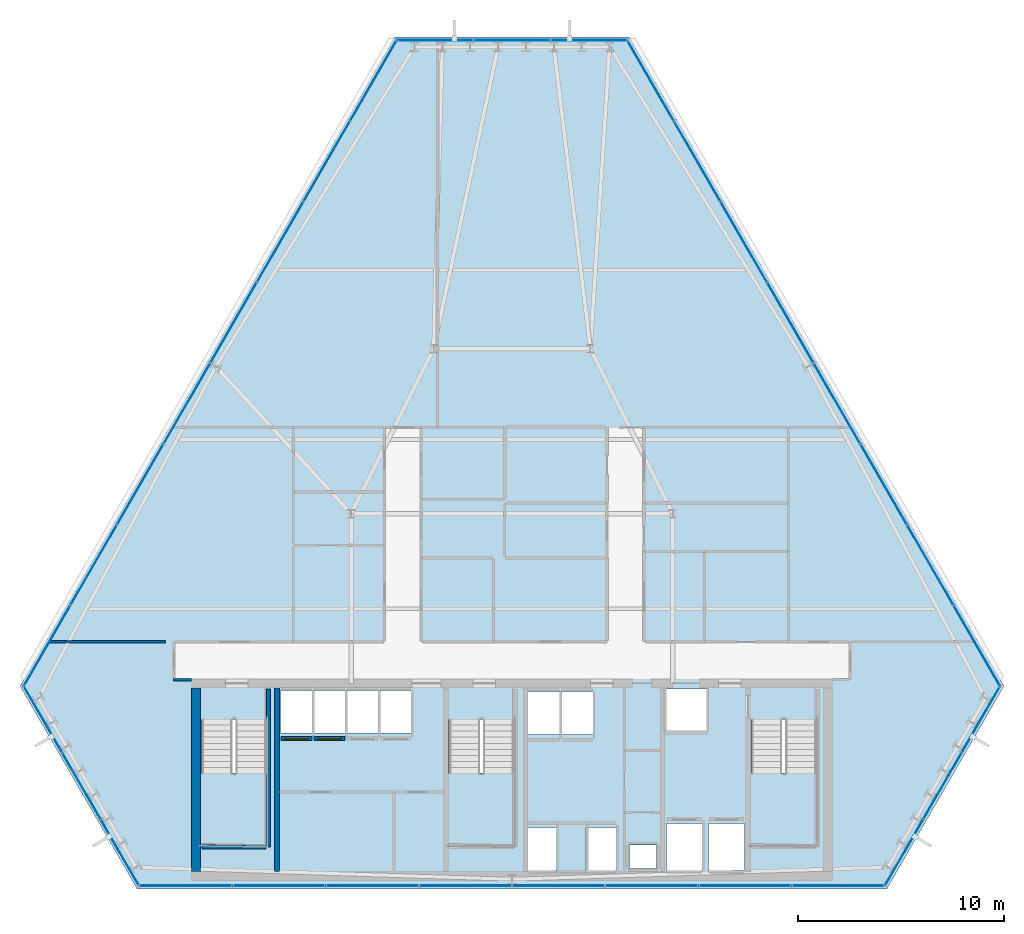
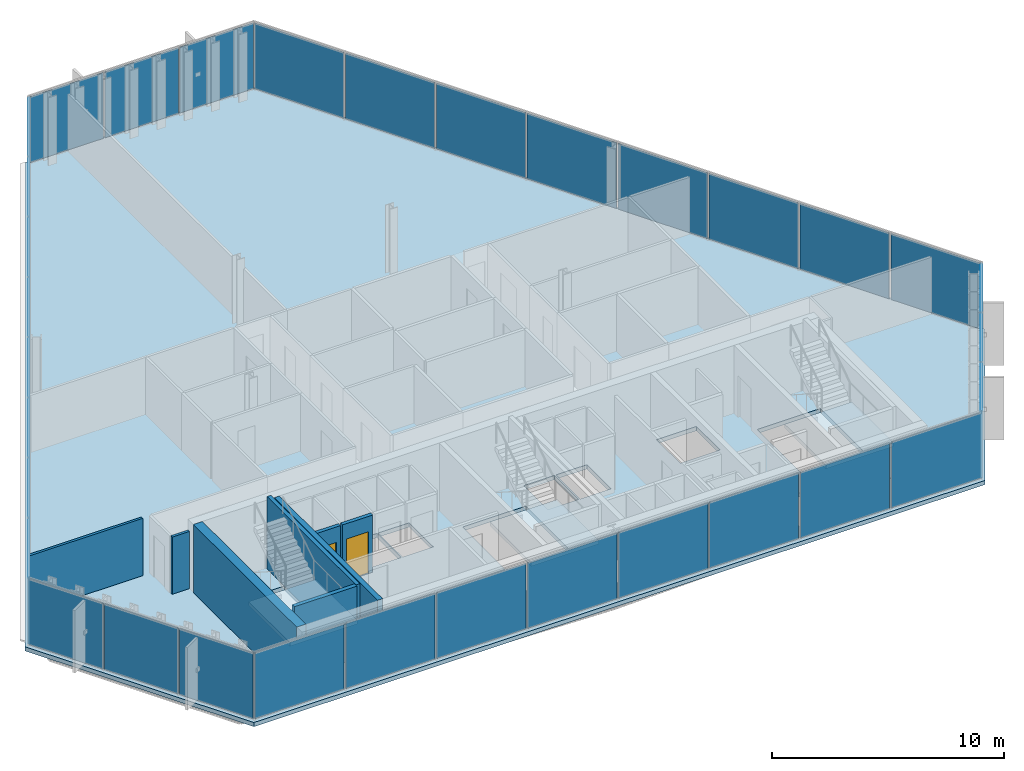
# One storey, part 25 of 33: 33 plates, 8 walls, 4 slabs, 2 doors, 2 openings, 9 elements without a shape of their own.
"""IFC4 building model written with IfcOpenShell, lengths in metres."""

from ifc_helpers import new_model, si_unit, direction, frame, frame_2d, origin, origin_2d, place, context, subcontext, project, spatial, polyline, rectangle, outline, extrude, material, layer, layer_set, type_object, element, fill, aggregate, save


model = new_model("IFC4")

# Units and contexts
model_context = context("Model", 3, precision=1e-05, world=origin(), true_north=direction((0.0, 1.0)))
body_context = subcontext(model_context, "Body", "Model", "MODEL_VIEW")
ifc_project = project(units=[si_unit("LENGTHUNIT", "METRE"), si_unit("AREAUNIT", "SQUARE_METRE"), si_unit("VOLUMEUNIT", "CUBIC_METRE"), si_unit("PLANEANGLEUNIT", "RADIAN"), si_unit("MASSUNIT", "GRAM", prefix="KILO")], contexts=[model_context])

# Site, building, storey
site_placement = place(None, origin())
site = spatial("IfcSite", under=ifc_project, at=site_placement, CompositionType="ELEMENT")
building_placement = place(site_placement, origin())
building = spatial("IfcBuilding", under=site, at=building_placement, Name="Ndaravel Arena Tower", CompositionType="ELEMENT")
storey_placement = place(building_placement, frame((0.0, 0.0, 149.800048828125)))
storey = spatial("IfcBuildingStorey", under=building, at=storey_placement, Name="L35", CompositionType="ELEMENT", Elevation=149.800048828125)

# Curtain wall, plate
ifc_material_1 = material(Name="Aluminium", Category="aluminium")
ifc_layer_1 = layer(ifc_material_1, 0.179931640625)
ifc_layer_set_1 = layer_set([ifc_layer_1], Name="Aluminium")
curtain_wall_type_1 = type_object("IfcCurtainWallType", Name="CW-SYS-01", PredefinedType="NOTDEFINED", material=ifc_layer_set_1)
curtain_wall_1_placement = place(storey_placement, origin())
curtain_wall_1 = element("IfcCurtainWall", 1, at=curtain_wall_1_placement, inside=storey, type_object=curtain_wall_type_1, Name="L35 Faceted Crystal Curtain Wall CW-L35-E02", PredefinedType="NOTDEFINED")
ifc_material_2 = material(Name="Glazing", Category="glass")
ifc_layer_2 = layer(ifc_material_2, 0.035888671875)
ifc_layer_set_2 = layer_set([ifc_layer_2], Name="Glazing")
plate_type_1 = type_object("IfcPlateType", Name="PLT-CW-OPVENT", PredefinedType="CURTAIN_PANEL", material=ifc_layer_set_2)
plate_1_placement = place(storey_placement, frame((62.87158203125, 10.002685546875, 0.06005859375), z_axis=(0.0, 0.0, 1.0), x_axis=(0.5, 0.866025403784, 0.0)))
plate_1 = element("IfcPlate", 2, at=plate_1_placement, type_object=plate_type_1, Name="CW-L35-E02 Operable Vent Sash Panel 02", PredefinedType="CURTAIN_PANEL", context=body_context, shape_type="SweptSolid", body=[
    extrude(rectangle(XDim=3.64794921875, YDim=0.035888671875, at=origin_2d()), origin(), (0.0, 0.0, 1.0), 3.4599609375),
])

curtain_wall_2_placement = place(storey_placement, origin())
curtain_wall_2 = element("IfcCurtainWall", 3, at=curtain_wall_2_placement, inside=storey, type_object=curtain_wall_type_1, Name="L35 Faceted Crystal Curtain Wall CW-L35-E04", PredefinedType="NOTDEFINED")
plate_2_placement = place(storey_placement, frame((42.0, 46.15380859375, 0.06005859375), z_axis=(0.0, 0.0, 1.0), x_axis=(-1.0, 0.0, 0.0)))
plate_2 = element("IfcPlate", 4, at=plate_2_placement, type_object=plate_type_1, Name="CW-L35-E04 Operable Vent Sash Panel 02", PredefinedType="CURTAIN_PANEL", context=body_context, shape_type="SweptSolid", body=[
    extrude(rectangle(XDim=3.64794921875, YDim=0.035888671875, at=origin_2d()), origin(), (0.0, 0.0, 1.0), 3.4599609375),
])

ifc_material_3 = material(Name="Aluminium", Category="aluminium")
ifc_layer_3 = layer(ifc_material_3, 0.179931640625)
ifc_layer_set_3 = layer_set([ifc_layer_3], Name="Aluminium")
curtain_wall_type_2 = type_object("IfcCurtainWallType", Name="CW-SYS-02", PredefinedType="NOTDEFINED", material=ifc_layer_set_3)
curtain_wall_3_placement = place(storey_placement, origin())
curtain_wall_3 = element("IfcCurtainWall", 5, at=curtain_wall_3_placement, inside=storey, type_object=curtain_wall_type_2, Name="L35 Faceted Crystal Curtain Wall CW-L35-E06", PredefinedType="NOTDEFINED")
plate_3_placement = place(storey_placement, frame((21.12841796875, 10.002685546875, 0.06005859375), z_axis=(0.0, 0.0, 1.0), x_axis=(0.5, -0.866025403784, 0.0)))
plate_3 = element("IfcPlate", 6, at=plate_3_placement, type_object=plate_type_1, Name="CW-L35-E06 Operable Vent Sash Panel 02", PredefinedType="CURTAIN_PANEL", context=body_context, shape_type="SweptSolid", body=[
    extrude(rectangle(XDim=3.64794921875, YDim=0.035888671875, at=origin_2d()), origin(), (0.0, 0.0, 1.0), 3.4599609375),
])

# Plate
ifc_material_4 = material(Name="Glazing", Category="glass")
ifc_layer_4 = layer(ifc_material_4, 0.031982421875)
ifc_layer_set_4 = layer_set([ifc_layer_4], Name="Glazing")
plate_type_2 = type_object("IfcPlateType", Name="PLT-GLZ-FRIT35", PredefinedType="CURTAIN_PANEL", material=ifc_layer_set_4)
plate_4_placement = place(storey_placement, frame((61.0078125, 6.774169921875, 0.06005859375), z_axis=(0.0, 0.0, 1.0), x_axis=(0.5, 0.866025403784, 0.0)))
plate_4 = element("IfcPlate", 7, at=plate_4_placement, type_object=plate_type_2, Name="CW-L35-E02 Vision Glass Panel 01", PredefinedType="CURTAIN_PANEL", context=body_context, shape_type="SweptSolid", body=[
    extrude(rectangle(XDim=3.64794921875, YDim=0.035888671875, at=origin_2d()), origin(), (0.0, 0.0, 1.0), 3.4599609375),
])

plate_5_placement = place(storey_placement, frame((64.735595703125, 13.231201171875, 0.06005859375), z_axis=(0.0, 0.0, 1.0), x_axis=(0.5, 0.866025403784, 0.0)))
plate_5 = element("IfcPlate", 8, at=plate_5_placement, type_object=plate_type_2, Name="CW-L35-E02 Vision Glass Panel 03", PredefinedType="CURTAIN_PANEL", context=body_context, shape_type="SweptSolid", body=[
    extrude(rectangle(XDim=3.64794921875, YDim=0.035888671875, at=origin_2d()), origin(), (0.0, 0.0, 1.0), 3.4599609375),
])

aggregate(curtain_wall_1, [plate_4, plate_1, plate_5])

plate_6_placement = place(storey_placement, frame((45.727783203125, 46.15380859375, 0.06005859375), z_axis=(0.0, 0.0, 1.0), x_axis=(-1.0, 0.0, 0.0)))
plate_6 = element("IfcPlate", 9, at=plate_6_placement, type_object=plate_type_2, Name="CW-L35-E04 Vision Glass Panel 01", PredefinedType="CURTAIN_PANEL", context=body_context, shape_type="SweptSolid", body=[
    extrude(rectangle(XDim=3.64794921875, YDim=0.035888671875, at=origin_2d()), origin(), (0.0, 0.0, 1.0), 3.4599609375),
])

plate_7_placement = place(storey_placement, frame((38.272216796875, 46.15380859375, 0.06005859375), z_axis=(0.0, 0.0, 1.0), x_axis=(-1.0, 0.0, 0.0)))
plate_7 = element("IfcPlate", 10, at=plate_7_placement, type_object=plate_type_2, Name="CW-L35-E04 Vision Glass Panel 03", PredefinedType="CURTAIN_PANEL", context=body_context, shape_type="SweptSolid", body=[
    extrude(rectangle(XDim=3.64794921875, YDim=0.035888671875, at=origin_2d()), origin(), (0.0, 0.0, 1.0), 3.4599609375),
])

aggregate(curtain_wall_2, [plate_6, plate_2, plate_7])

ifc_material_5 = material(Name="Glazing", Category="glass")
ifc_layer_5 = layer(ifc_material_5, 0.035888671875)
ifc_layer_set_5 = layer_set([ifc_layer_5], Name="Glazing")
plate_type_3 = type_object("IfcPlateType", Name="PLT-GLZ-FRIT55", PredefinedType="CURTAIN_PANEL", material=ifc_layer_set_5)
plate_8_placement = place(storey_placement, frame((19.264404296875, 13.231201171875, 0.06005859375), z_axis=(0.0, 0.0, 1.0), x_axis=(0.5, -0.866025403784, 0.0)))
plate_8 = element("IfcPlate", 11, at=plate_8_placement, type_object=plate_type_3, Name="CW-L35-E06 Vision Glass Panel 01", PredefinedType="CURTAIN_PANEL", context=body_context, shape_type="SweptSolid", body=[
    extrude(rectangle(XDim=3.64794921875, YDim=0.035888671875, at=origin_2d()), origin(), (0.0, 0.0, 1.0), 3.4599609375),
])

plate_9_placement = place(storey_placement, frame((22.9921875, 6.774169921875, 0.06005859375), z_axis=(0.0, 0.0, 1.0), x_axis=(0.5, -0.866025403784, 0.0)))
plate_9 = element("IfcPlate", 12, at=plate_9_placement, type_object=plate_type_3, Name="CW-L35-E06 Vision Glass Panel 03", PredefinedType="CURTAIN_PANEL", context=body_context, shape_type="SweptSolid", body=[
    extrude(rectangle(XDim=3.64794921875, YDim=0.035888671875, at=origin_2d()), origin(), (0.0, 0.0, 1.0), 3.4599609375),
])

aggregate(curtain_wall_3, [plate_8, plate_3, plate_9])

# Curtain wall, plates
ifc_material_6 = material(Name="Aluminium", Category="aluminium")
ifc_layer_6 = layer(ifc_material_6, 0.179931640625)
ifc_layer_set_6 = layer_set([ifc_layer_6], Name="Aluminium")
curtain_wall_type_3 = type_object("IfcCurtainWallType", Name="CW-SYS-03", PredefinedType="NOTDEFINED", material=ifc_layer_set_6)
curtain_wall_4_placement = place(storey_placement, origin())
curtain_wall_4 = element("IfcCurtainWall", 13, at=curtain_wall_4_placement, inside=storey, type_object=curtain_wall_type_3, Name="L35 Faceted Crystal Curtain Wall CW-L35-E01", PredefinedType="NOTDEFINED")
ifc_material_7 = material(Name="Glazing", Category="glass")
ifc_layer_7 = layer(ifc_material_7, 0.0400390625)
ifc_layer_set_7 = layer_set([ifc_layer_7], Name="Glazing")
plate_type_4 = type_object("IfcPlateType", Name="PLT-GLZ-LOWIRON", PredefinedType="CURTAIN_PANEL", material=ifc_layer_set_7)
plate_10_placement = place(storey_placement, frame((26.18359375, 5.159912109375, 0.06005859375), z_axis=(0.0, 0.0, 1.0), x_axis=(1.0, 0.0, 0.0)))
plate_10 = element("IfcPlate", 14, at=plate_10_placement, type_object=plate_type_4, Name="CW-L35-E01 Vision Glass Panel 01", PredefinedType="CURTAIN_PANEL", context=body_context, shape_type="SweptSolid", body=[
    extrude(rectangle(XDim=4.43896484375, YDim=0.035888671875, at=origin_2d()), origin(), (0.0, 0.0, 1.0), 3.4599609375),
])
plate_11_placement = place(storey_placement, frame((30.70263671875, 5.159912109375, 0.06005859375), z_axis=(0.0, 0.0, 1.0), x_axis=(1.0, 0.0, 0.0)))
plate_11 = element("IfcPlate", 15, at=plate_11_placement, type_object=plate_type_4, Name="CW-L35-E01 Vision Glass Panel 02", PredefinedType="CURTAIN_PANEL", context=body_context, shape_type="SweptSolid", body=[
    extrude(rectangle(XDim=4.43896484375, YDim=0.035888671875, at=origin_2d()), origin(), (0.0, 0.0, 1.0), 3.4599609375),
])
plate_12_placement = place(storey_placement, frame((35.2216796875, 5.159912109375, 0.06005859375), z_axis=(0.0, 0.0, 1.0), x_axis=(1.0, 0.0, 0.0)))
plate_12 = element("IfcPlate", 16, at=plate_12_placement, type_object=plate_type_4, Name="CW-L35-E01 Vision Glass Panel 03", PredefinedType="CURTAIN_PANEL", context=body_context, shape_type="SweptSolid", body=[
    extrude(rectangle(XDim=4.43896484375, YDim=0.035888671875, at=origin_2d()), origin(), (0.0, 0.0, 1.0), 3.4599609375),
])
plate_13_placement = place(storey_placement, frame((39.740478515625, 5.159912109375, 0.06005859375), z_axis=(0.0, 0.0, 1.0), x_axis=(1.0, 0.0, 0.0)))
plate_13 = element("IfcPlate", 17, at=plate_13_placement, type_object=plate_type_4, Name="CW-L35-E01 Vision Glass Panel 04", PredefinedType="CURTAIN_PANEL", context=body_context, shape_type="SweptSolid", body=[
    extrude(rectangle(XDim=4.43896484375, YDim=0.035888671875, at=origin_2d()), origin(), (0.0, 0.0, 1.0), 3.4599609375),
])
plate_14_placement = place(storey_placement, frame((44.259521484375, 5.159912109375, 0.06005859375), z_axis=(0.0, 0.0, 1.0), x_axis=(1.0, 0.0, 0.0)))
plate_14 = element("IfcPlate", 18, at=plate_14_placement, type_object=plate_type_4, Name="CW-L35-E01 Vision Glass Panel 05", PredefinedType="CURTAIN_PANEL", context=body_context, shape_type="SweptSolid", body=[
    extrude(rectangle(XDim=4.43896484375, YDim=0.035888671875, at=origin_2d()), origin(), (0.0, 0.0, 1.0), 3.4599609375),
])
plate_15_placement = place(storey_placement, frame((48.7783203125, 5.159912109375, 0.06005859375), z_axis=(0.0, 0.0, 1.0), x_axis=(1.0, 0.0, 0.0)))
plate_15 = element("IfcPlate", 19, at=plate_15_placement, type_object=plate_type_4, Name="CW-L35-E01 Vision Glass Panel 06", PredefinedType="CURTAIN_PANEL", context=body_context, shape_type="SweptSolid", body=[
    extrude(rectangle(XDim=4.43896484375, YDim=0.035888671875, at=origin_2d()), origin(), (0.0, 0.0, 1.0), 3.4599609375),
])
plate_16_placement = place(storey_placement, frame((53.29736328125, 5.159912109375, 0.06005859375), z_axis=(0.0, 0.0, 1.0), x_axis=(1.0, 0.0, 0.0)))
plate_16 = element("IfcPlate", 20, at=plate_16_placement, type_object=plate_type_4, Name="CW-L35-E01 Vision Glass Panel 07", PredefinedType="CURTAIN_PANEL", context=body_context, shape_type="SweptSolid", body=[
    extrude(rectangle(XDim=4.43896484375, YDim=0.035888671875, at=origin_2d()), origin(), (0.0, 0.0, 1.0), 3.4599609375),
])
plate_17_placement = place(storey_placement, frame((57.81640625, 5.159912109375, 0.06005859375), z_axis=(0.0, 0.0, 1.0), x_axis=(1.0, 0.0, 0.0)))
plate_17 = element("IfcPlate", 21, at=plate_17_placement, type_object=plate_type_4, Name="CW-L35-E01 Vision Glass Panel 08", PredefinedType="CURTAIN_PANEL", context=body_context, shape_type="SweptSolid", body=[
    extrude(rectangle(XDim=4.43896484375, YDim=0.035888671875, at=origin_2d()), origin(), (0.0, 0.0, 1.0), 3.4599609375),
])
aggregate(curtain_wall_4, [plate_10, plate_11, plate_12, plate_13, plate_14, plate_15, plate_16, plate_17])

curtain_wall_5_placement = place(storey_placement, origin())
curtain_wall_5 = element("IfcCurtainWall", 22, at=curtain_wall_5_placement, inside=storey, type_object=curtain_wall_type_3, Name="L35 Faceted Crystal Curtain Wall CW-L35-E03", PredefinedType="NOTDEFINED")
plate_18_placement = place(storey_placement, frame((64.5380859375, 16.80224609375, 0.06005859375), z_axis=(0.0, 0.0, 1.0), x_axis=(-0.5, 0.866025403784, 0.0)))
plate_18 = element("IfcPlate", 23, at=plate_18_placement, type_object=plate_type_4, Name="CW-L35-E03 Vision Glass Panel 01", PredefinedType="CURTAIN_PANEL", context=body_context, shape_type="SweptSolid", body=[
    extrude(rectangle(XDim=4.43896484375, YDim=0.035888671875, at=origin_2d()), origin(), (0.0, 0.0, 1.0), 3.4599609375),
])
plate_19_placement = place(storey_placement, frame((62.278564453125, 20.7158203125, 0.06005859375), z_axis=(0.0, 0.0, 1.0), x_axis=(-0.5, 0.866025403784, 0.0)))
plate_19 = element("IfcPlate", 24, at=plate_19_placement, type_object=plate_type_4, Name="CW-L35-E03 Vision Glass Panel 02", PredefinedType="CURTAIN_PANEL", context=body_context, shape_type="SweptSolid", body=[
    extrude(rectangle(XDim=4.43896484375, YDim=0.035888671875, at=origin_2d()), origin(), (0.0, 0.0, 1.0), 3.4599609375),
])
plate_20_placement = place(storey_placement, frame((60.01904296875, 24.629150390625, 0.06005859375), z_axis=(0.0, 0.0, 1.0), x_axis=(-0.5, 0.866025403784, 0.0)))
plate_20 = element("IfcPlate", 25, at=plate_20_placement, type_object=plate_type_4, Name="CW-L35-E03 Vision Glass Panel 03", PredefinedType="CURTAIN_PANEL", context=body_context, shape_type="SweptSolid", body=[
    extrude(rectangle(XDim=4.43896484375, YDim=0.035888671875, at=origin_2d()), origin(), (0.0, 0.0, 1.0), 3.4599609375),
])
plate_21_placement = place(storey_placement, frame((57.759521484375, 28.542724609375, 0.06005859375), z_axis=(0.0, 0.0, 1.0), x_axis=(-0.5, 0.866025403784, 0.0)))
plate_21 = element("IfcPlate", 26, at=plate_21_placement, type_object=plate_type_4, Name="CW-L35-E03 Vision Glass Panel 04", PredefinedType="CURTAIN_PANEL", context=body_context, shape_type="SweptSolid", body=[
    extrude(rectangle(XDim=4.43896484375, YDim=0.035888671875, at=origin_2d()), origin(), (0.0, 0.0, 1.0), 3.4599609375),
])
plate_22_placement = place(storey_placement, frame((55.5, 32.456298828125, 0.06005859375), z_axis=(0.0, 0.0, 1.0), x_axis=(-0.5, 0.866025403784, 0.0)))
plate_22 = element("IfcPlate", 27, at=plate_22_placement, type_object=plate_type_4, Name="CW-L35-E03 Vision Glass Panel 05", PredefinedType="CURTAIN_PANEL", context=body_context, shape_type="SweptSolid", body=[
    extrude(rectangle(XDim=4.43896484375, YDim=0.035888671875, at=origin_2d()), origin(), (0.0, 0.0, 1.0), 3.4599609375),
])
plate_23_placement = place(storey_placement, frame((53.240478515625, 36.369873046875, 0.06005859375), z_axis=(0.0, 0.0, 1.0), x_axis=(-0.5, 0.866025403784, 0.0)))
plate_23 = element("IfcPlate", 28, at=plate_23_placement, type_object=plate_type_4, Name="CW-L35-E03 Vision Glass Panel 06", PredefinedType="CURTAIN_PANEL", context=body_context, shape_type="SweptSolid", body=[
    extrude(rectangle(XDim=4.43896484375, YDim=0.035888671875, at=origin_2d()), origin(), (0.0, 0.0, 1.0), 3.4599609375),
])
plate_24_placement = place(storey_placement, frame((50.981201171875, 40.283447265625, 0.06005859375), z_axis=(0.0, 0.0, 1.0), x_axis=(-0.5, 0.866025403784, 0.0)))
plate_24 = element("IfcPlate", 29, at=plate_24_placement, type_object=plate_type_4, Name="CW-L35-E03 Vision Glass Panel 07", PredefinedType="CURTAIN_PANEL", context=body_context, shape_type="SweptSolid", body=[
    extrude(rectangle(XDim=4.43896484375, YDim=0.035888671875, at=origin_2d()), origin(), (0.0, 0.0, 1.0), 3.4599609375),
])
plate_25_placement = place(storey_placement, frame((48.7216796875, 44.197021484375, 0.06005859375), z_axis=(0.0, 0.0, 1.0), x_axis=(-0.5, 0.866025403784, 0.0)))
plate_25 = element("IfcPlate", 30, at=plate_25_placement, type_object=plate_type_4, Name="CW-L35-E03 Vision Glass Panel 08", PredefinedType="CURTAIN_PANEL", context=body_context, shape_type="SweptSolid", body=[
    extrude(rectangle(XDim=4.43896484375, YDim=0.035888671875, at=origin_2d()), origin(), (0.0, 0.0, 1.0), 3.4599609375),
])
aggregate(curtain_wall_5, [plate_18, plate_19, plate_20, plate_21, plate_22, plate_23, plate_24, plate_25])

curtain_wall_6_placement = place(storey_placement, origin())
curtain_wall_6 = element("IfcCurtainWall", 31, at=curtain_wall_6_placement, inside=storey, type_object=curtain_wall_type_3, Name="L35 Faceted Crystal Curtain Wall CW-L35-E05", PredefinedType="NOTDEFINED")
plate_26_placement = place(storey_placement, frame((35.2783203125, 44.197021484375, 0.06005859375), z_axis=(0.0, 0.0, 1.0), x_axis=(-0.5, -0.866025403784, 0.0)))
plate_26 = element("IfcPlate", 32, at=plate_26_placement, type_object=plate_type_4, Name="CW-L35-E05 Vision Glass Panel 01", PredefinedType="CURTAIN_PANEL", context=body_context, shape_type="SweptSolid", body=[
    extrude(rectangle(XDim=4.43896484375, YDim=0.035888671875, at=origin_2d()), origin(), (0.0, 0.0, 1.0), 3.4599609375),
])
plate_27_placement = place(storey_placement, frame((33.018798828125, 40.283447265625, 0.06005859375), z_axis=(0.0, 0.0, 1.0), x_axis=(-0.5, -0.866025403784, 0.0)))
plate_27 = element("IfcPlate", 33, at=plate_27_placement, type_object=plate_type_4, Name="CW-L35-E05 Vision Glass Panel 02", PredefinedType="CURTAIN_PANEL", context=body_context, shape_type="SweptSolid", body=[
    extrude(rectangle(XDim=4.43896484375, YDim=0.035888671875, at=origin_2d()), origin(), (0.0, 0.0, 1.0), 3.4599609375),
])
plate_28_placement = place(storey_placement, frame((30.759521484375, 36.369873046875, 0.06005859375), z_axis=(0.0, 0.0, 1.0), x_axis=(-0.5, -0.866025403784, 0.0)))
plate_28 = element("IfcPlate", 34, at=plate_28_placement, type_object=plate_type_4, Name="CW-L35-E05 Vision Glass Panel 03", PredefinedType="CURTAIN_PANEL", context=body_context, shape_type="SweptSolid", body=[
    extrude(rectangle(XDim=4.43896484375, YDim=0.035888671875, at=origin_2d()), origin(), (0.0, 0.0, 1.0), 3.4599609375),
])
plate_29_placement = place(storey_placement, frame((28.5, 32.456298828125, 0.06005859375), z_axis=(0.0, 0.0, 1.0), x_axis=(-0.5, -0.866025403784, 0.0)))
plate_29 = element("IfcPlate", 35, at=plate_29_placement, type_object=plate_type_4, Name="CW-L35-E05 Vision Glass Panel 04", PredefinedType="CURTAIN_PANEL", context=body_context, shape_type="SweptSolid", body=[
    extrude(rectangle(XDim=4.43896484375, YDim=0.035888671875, at=origin_2d()), origin(), (0.0, 0.0, 1.0), 3.4599609375),
])
plate_30_placement = place(storey_placement, frame((26.240478515625, 28.542724609375, 0.06005859375), z_axis=(0.0, 0.0, 1.0), x_axis=(-0.5, -0.866025403784, 0.0)))
plate_30 = element("IfcPlate", 36, at=plate_30_placement, type_object=plate_type_4, Name="CW-L35-E05 Vision Glass Panel 05", PredefinedType="CURTAIN_PANEL", context=body_context, shape_type="SweptSolid", body=[
    extrude(rectangle(XDim=4.43896484375, YDim=0.035888671875, at=origin_2d()), origin(), (0.0, 0.0, 1.0), 3.4599609375),
])
plate_31_placement = place(storey_placement, frame((23.98095703125, 24.629150390625, 0.06005859375), z_axis=(0.0, 0.0, 1.0), x_axis=(-0.5, -0.866025403784, 0.0)))
plate_31 = element("IfcPlate", 37, at=plate_31_placement, type_object=plate_type_4, Name="CW-L35-E05 Vision Glass Panel 06", PredefinedType="CURTAIN_PANEL", context=body_context, shape_type="SweptSolid", body=[
    extrude(rectangle(XDim=4.43896484375, YDim=0.035888671875, at=origin_2d()), origin(), (0.0, 0.0, 1.0), 3.4599609375),
])
plate_32_placement = place(storey_placement, frame((21.721435546875, 20.7158203125, 0.06005859375), z_axis=(0.0, 0.0, 1.0), x_axis=(-0.5, -0.866025403784, 0.0)))
plate_32 = element("IfcPlate", 38, at=plate_32_placement, type_object=plate_type_4, Name="CW-L35-E05 Vision Glass Panel 07", PredefinedType="CURTAIN_PANEL", context=body_context, shape_type="SweptSolid", body=[
    extrude(rectangle(XDim=4.43896484375, YDim=0.035888671875, at=origin_2d()), origin(), (0.0, 0.0, 1.0), 3.4599609375),
])
plate_33_placement = place(storey_placement, frame((19.4619140625, 16.80224609375, 0.06005859375), z_axis=(0.0, 0.0, 1.0), x_axis=(-0.5, -0.866025403784, 0.0)))
plate_33 = element("IfcPlate", 39, at=plate_33_placement, type_object=plate_type_4, Name="CW-L35-E05 Vision Glass Panel 08", PredefinedType="CURTAIN_PANEL", context=body_context, shape_type="SweptSolid", body=[
    extrude(rectangle(XDim=4.43896484375, YDim=0.035888671875, at=origin_2d()), origin(), (0.0, 0.0, 1.0), 3.4599609375),
])
aggregate(curtain_wall_6, [plate_26, plate_27, plate_28, plate_29, plate_30, plate_31, plate_32, plate_33])

# Stair, slab
ifc_material_8 = material(Name="Concrete C40/50", Category="concrete")
stair_type = type_object("IfcStairType", Name="STAIR-CORE-HT", PredefinedType="HALF_TURN_STAIR", material=ifc_material_8)
stair_1_placement = place(storey_placement, origin())
stair_1 = element("IfcStair", 40, at=stair_1_placement, inside=storey, type_object=stair_type, Name="L35 ST-1", PredefinedType="HALF_TURN_STAIR")
ifc_material_9 = material(Name="Concrete C40/50", Category="concrete")
ifc_layer_8 = layer(ifc_material_9, 0.199951171875)
ifc_layer_set_8 = layer_set([ifc_layer_8], Name="Concrete C40/50")
slab_type_1 = type_object("IfcSlabType", Name="SLAB-STAIR-LANDING", PredefinedType="LANDING", material=ifc_layer_set_8)
slab_1_placement = place(storey_placement, frame((0.0, 0.0, 1.699951171875)))
slab_1 = element("IfcSlab", 41, at=slab_1_placement, type_object=slab_type_1, Name="ST-1 landing 1", PredefinedType="LANDING", context=body_context, shape_type="SweptSolid", body=[
    extrude(outline(polyline([(26.81005859375, 10.6298828125), (26.81005859375, 7.070068359375), (30.169921875, 7.070068359375), (30.169921875, 10.6298828125), (26.81005859375, 10.6298828125)])), origin(), (0.0, 0.0, 1.0), 0.199951171875),
])
aggregate(stair_1, [slab_1])

stair_2_placement = place(storey_placement, origin())
stair_2 = element("IfcStair", 42, at=stair_2_placement, inside=storey, type_object=stair_type, Name="L35 ST-2", PredefinedType="HALF_TURN_STAIR")
slab_2_placement = place(storey_placement, frame((0.0, 0.0, 1.699951171875)))
slab_2 = element("IfcSlab", 43, at=slab_2_placement, type_object=slab_type_1, Name="ST-2 landing 1", PredefinedType="LANDING", context=body_context, shape_type="SweptSolid", body=[
    extrude(outline(polyline([(38.81005859375, 10.6298828125), (38.81005859375, 7.070068359375), (42.169921875, 7.070068359375), (42.169921875, 10.6298828125), (38.81005859375, 10.6298828125)])), origin(), (0.0, 0.0, 1.0), 0.199951171875),
])
aggregate(stair_2, [slab_2])

stair_3_placement = place(storey_placement, origin())
stair_3 = element("IfcStair", 44, at=stair_3_placement, inside=storey, type_object=stair_type, Name="L35 ST-3", PredefinedType="HALF_TURN_STAIR")
slab_3_placement = place(storey_placement, frame((0.0, 0.0, 1.699951171875)))
slab_3 = element("IfcSlab", 45, at=slab_3_placement, type_object=slab_type_1, Name="ST-3 landing 1", PredefinedType="LANDING", context=body_context, shape_type="SweptSolid", body=[
    extrude(outline(polyline([(53.4599609375, 10.6298828125), (53.4599609375, 7.070068359375), (56.820068359375, 7.070068359375), (56.820068359375, 10.6298828125), (53.4599609375, 10.6298828125)])), origin(), (0.0, 0.0, 1.0), 0.199951171875),
])
aggregate(stair_3, [slab_3])

# Slab
ifc_material_10 = material(Name="Concrete C40/50", Category="concrete")
ifc_layer_9 = layer(ifc_material_10, 0.219970703125)
ifc_layer_set_9 = layer_set([ifc_layer_9], Name="Concrete C40/50")
slab_type_2 = type_object("IfcSlabType", Name="SLAB-TWR-220", PredefinedType="FLOOR", material=ifc_layer_set_9)
slab_4_placement = place(storey_placement, frame((0.0, 0.0, -0.219970703125)))
element("IfcSlab", 46, at=slab_4_placement, inside=storey, type_object=slab_type_2, Name="L35 Structural Floor Slab", PredefinedType="FLOOR", context=body_context, shape_type="SweptSolid", body=[
    extrude(outline(polyline([(18.1474609375, 14.845458984375), (23.831787109375, 5.0), (60.168212890625, 5.0), (65.8525390625, 14.845458984375), (47.684326171875, 46.313720703125), (36.315673828125, 46.313720703125), (18.1474609375, 14.845458984375)]), holes=[polyline([(26.949951171875, 13.215087890625), (26.949951171875, 7.14990234375), (30.090087890625, 7.14990234375), (30.090087890625, 13.215087890625), (26.949951171875, 13.215087890625)]), polyline([(38.949951171875, 13.215087890625), (38.949951171875, 7.14990234375), (42.090087890625, 7.14990234375), (42.090087890625, 13.215087890625), (38.949951171875, 13.215087890625)]), polyline([(53.60009765625, 13.215087890625), (53.60009765625, 7.14990234375), (56.739990234375, 7.14990234375), (56.739990234375, 13.215087890625), (53.60009765625, 13.215087890625)]), polyline([(30.784912109375, 12.56005859375), (32.31494140625, 12.56005859375), (32.31494140625, 14.639892578125), (30.784912109375, 14.639892578125), (30.784912109375, 12.56005859375)]), polyline([(32.385009765625, 12.56005859375), (33.9150390625, 12.56005859375), (33.9150390625, 14.639892578125), (32.385009765625, 14.639892578125), (32.385009765625, 12.56005859375)]), polyline([(33.985107421875, 12.56005859375), (35.514892578125, 12.56005859375), (35.514892578125, 14.639892578125), (33.985107421875, 14.639892578125), (33.985107421875, 12.56005859375)]), polyline([(35.5849609375, 12.56005859375), (37.114990234375, 12.56005859375), (37.114990234375, 14.639892578125), (35.5849609375, 14.639892578125), (35.5849609375, 12.56005859375)]), polyline([(42.659912109375, 5.909912109375), (44.139892578125, 5.909912109375), (44.139892578125, 7.989990234375), (42.659912109375, 7.989990234375), (42.659912109375, 5.909912109375)]), polyline([(45.56005859375, 5.909912109375), (47.0400390625, 5.909912109375), (47.0400390625, 7.989990234375), (45.56005859375, 7.989990234375), (45.56005859375, 5.909912109375)]), polyline([(42.784912109375, 12.510009765625), (44.31494140625, 12.510009765625), (44.31494140625, 14.590087890625), (42.784912109375, 14.590087890625), (42.784912109375, 12.510009765625)]), polyline([(44.385009765625, 12.510009765625), (45.9150390625, 12.510009765625), (45.9150390625, 14.590087890625), (44.385009765625, 14.590087890625), (44.385009765625, 12.510009765625)]), polyline([(49.485107421875, 5.909912109375), (51.215087890625, 5.909912109375), (51.215087890625, 8.18994140625), (49.485107421875, 8.18994140625), (49.485107421875, 5.909912109375)]), polyline([(51.534912109375, 5.909912109375), (53.264892578125, 5.909912109375), (53.264892578125, 8.18994140625), (51.534912109375, 8.18994140625), (51.534912109375, 5.909912109375)]), polyline([(49.4599609375, 12.68505859375), (51.43994140625, 12.68505859375), (51.43994140625, 14.715087890625), (49.4599609375, 14.715087890625), (49.4599609375, 12.68505859375)]), polyline([(47.699951171875, 6.0), (49.0, 6.0), (49.0, 7.139892578125), (47.699951171875, 7.139892578125), (47.699951171875, 6.0)])]), origin(), (0.0, 0.0, 1.0), 0.219970703125),
])

# Walls
ifc_material_11 = material(Name="Concrete C60/75", Category="concrete")
ifc_layer_10 = layer(ifc_material_11, 0.25)
ifc_layer_set_10 = layer_set([ifc_layer_10], Name="Concrete C60/75")
wall_type_1 = type_object("IfcWallType", Name="WALL-CORE-250", PredefinedType="SOLIDWALL", material=ifc_layer_set_10)
wall_1_placement = place(storey_placement, frame((30.60009765625, 5.85009765625, 0.0), z_axis=(0.0, 0.0, 1.0), x_axis=(0.0, 1.0, 0.0)))
element("IfcWall", 47, at=wall_1_placement, inside=storey, type_object=wall_type_1, Name="L35 Core Web Shear Wall 1", PredefinedType="SOLIDWALL", context=body_context, shape_type="SweptSolid", body=[
    extrude(rectangle(XDim=8.89990234375, YDim=0.25, at=frame_2d((4.449951171875, 0.0))), origin(), (0.0, 0.0, 1.0), 3.579833984375),
])
ifc_material_12 = material(Name="Concrete C60/75", Category="concrete")
ifc_layer_11 = layer(ifc_material_12, 0.449951171875)
ifc_layer_set_11 = layer_set([ifc_layer_11], Name="Concrete C60/75")
wall_type_2 = type_object("IfcWallType", Name="WALL-CORE-450", PredefinedType="SOLIDWALL", material=ifc_layer_set_11)
wall_2_placement = place(storey_placement, frame((26.675048828125, 5.85009765625, 0.0), z_axis=(0.0, 0.0, 1.0), x_axis=(0.0, 1.0, 0.0)))
element("IfcWall", 48, at=wall_2_placement, inside=storey, type_object=wall_type_2, Name="L35 Core West Shear Wall", PredefinedType="SOLIDWALL", context=body_context, shape_type="SweptSolid", body=[
    extrude(rectangle(XDim=8.89990234375, YDim=0.449951171875, at=frame_2d((4.449951171875, 0.0))), origin(), (0.0, 0.0, 1.0), 3.579833984375),
])
ifc_material_13 = material(Name="Gypsum", Category="gypsum")
ifc_layer_12 = layer(ifc_material_13, 0.125)
ifc_layer_set_12 = layer_set([ifc_layer_12], Name="Gypsum")
wall_type_3 = type_object("IfcWallType", Name="WALL-PART-125", PredefinedType="PARTITIONING", material=ifc_layer_set_12)
wall_3_placement = place(storey_placement, frame((26.449951171875, 15.14990234375, 0.0), z_axis=(0.0, 0.0, 1.0), x_axis=(-1.0, 0.0, 0.0)))
element("IfcWall", 49, at=wall_3_placement, inside=storey, type_object=wall_type_3, Name="L35 Interior Partition 003", PredefinedType="PARTITIONING", context=body_context, shape_type="SweptSolid", body=[
    extrude(rectangle(XDim=0.849853515625, YDim=0.125, at=frame_2d((0.4248046875, 0.0))), origin(), (0.0, 0.0, 1.0), 3.010498046875),
])
wall_4_placement = place(storey_placement, frame((19.576171875, 17.0, 0.0), z_axis=(0.0, 0.0, 1.0), x_axis=(1.0, 0.0, 0.0)))
element("IfcWall", 50, at=wall_4_placement, inside=storey, type_object=wall_type_3, Name="L35 Interior Partition 026", PredefinedType="PARTITIONING", context=body_context, shape_type="SweptSolid", body=[
    extrude(rectangle(XDim=5.623779296875, YDim=0.125, at=frame_2d((2.81201171875, 0.0))), origin(), (0.0, 0.0, 1.0), 3.010498046875),
])
ifc_material_14 = material(Name="Concrete C40/50", Category="concrete")
ifc_layer_13 = layer(ifc_material_14, 0.199951171875)
ifc_layer_set_13 = layer_set([ifc_layer_13], Name="Concrete C40/50")
wall_type_4 = type_object("IfcWallType", Name="WALL-SHAFT-200", PredefinedType="SOLIDWALL", material=ifc_layer_set_13)
wall_5_placement = place(storey_placement, frame((30.18994140625, 14.699951171875, 0.0), z_axis=(0.0, 0.0, 1.0), x_axis=(0.0, -1.0, 0.0)))
element("IfcWall", 51, at=wall_5_placement, inside=storey, type_object=wall_type_4, Name="L35 ST-1 Structural Shaft Wall Right", PredefinedType="SOLIDWALL", context=body_context, shape_type="SweptSolid", body=[
    extrude(rectangle(XDim=7.64990234375, YDim=0.199951171875, at=frame_2d((3.824951171875, 0.0))), origin(), (0.0, 0.0, 1.0), 3.800048828125),
])
wall_6_placement = place(storey_placement, frame((26.969970703125, 7.050048828125, 0.0), z_axis=(0.0, 0.0, 1.0), x_axis=(1.0, 0.0, 0.0)))
element("IfcWall", 52, at=wall_6_placement, inside=storey, type_object=wall_type_4, Name="L35 ST-1 Structural Shaft Wall Far", PredefinedType="SOLIDWALL", context=body_context, shape_type="SweptSolid", body=[
    extrude(rectangle(XDim=3.114990234375, YDim=0.199951171875, at=frame_2d((1.5576171875, 0.0))), origin(), (0.0, 0.0, 1.0), 3.800048828125),
])

# Wall, opening, door
wall_7_placement = place(storey_placement, frame((30.804931640625, 12.300048828125, 0.0), z_axis=(0.0, 0.0, 1.0), x_axis=(1.0, 0.0, 0.0)))
wall_7 = element("IfcWall", 53, at=wall_7_placement, inside=storey, type_object=wall_type_4, Name="L35 PL-M1 Shaft Landing Wall", PredefinedType="SOLIDWALL", context=body_context, shape_type="SweptSolid", body=[
    extrude(rectangle(XDim=1.489990234375, YDim=0.179931640625, at=frame_2d((0.7451171875, 0.0))), origin(), (0.0, 0.0, 1.0), 3.010498046875),
])
opening_1_placement = place(wall_7_placement, frame((0.195068359375, 0.0, 0.0)))
opening_1 = element("IfcOpeningElement", 54, at=opening_1_placement, cuts=wall_7, Name="Opening LD-01", PredefinedType="OPENING", context=body_context, shape_type="SweptSolid", body=[
    extrude(rectangle(XDim=1.10009765625, YDim=2.199951171875, at=frame_2d((0.550048828125, 1.10009765625))), frame((0.0, 0.08984375, 0.0), z_axis=(0.0, -1.0, 0.0), x_axis=(1.0, 0.0, 0.0)), (0.0, 0.0, 1.0), 0.179931640625),
])
ifc_material_15 = material(Name="Steel S355", Category="steel")
door_type = type_object("IfcDoorType", Name="DT-06-LIFT-1100", OperationType="SLIDING_TO_LEFT", PredefinedType="DOOR", material=ifc_material_15)
door_1_placement = place(opening_1_placement, origin())
door_1 = element("IfcDoor", 55, at=door_1_placement, inside=storey, type_object=door_type, Name="L35 Lift PL-M1 Sliding Landing Door", OperationType="SLIDING_TO_LEFT", OverallHeight=2.199951171875, OverallWidth=1.10009765625, PredefinedType="DOOR", context=body_context, shape_type="SweptSolid", body=[
    extrude(rectangle(XDim=1.10009765625, YDim=2.199951171875, at=frame_2d((0.550048828125, 1.10009765625))), frame((0.0, 0.02490234375, 0.0), z_axis=(0.0, -1.0, 0.0), x_axis=(1.0, 0.0, 0.0)), (0.0, 0.0, 1.0), 0.050048828125),
])
fill(opening_1, door_1)

wall_8_placement = place(storey_placement, frame((32.405029296875, 12.300048828125, 0.0), z_axis=(0.0, 0.0, 1.0), x_axis=(1.0, 0.0, 0.0)))
wall_8 = element("IfcWall", 56, at=wall_8_placement, inside=storey, type_object=wall_type_4, Name="L35 PL-M2 Shaft Landing Wall", PredefinedType="SOLIDWALL", context=body_context, shape_type="SweptSolid", body=[
    extrude(rectangle(XDim=1.489990234375, YDim=0.179931640625, at=frame_2d((0.7451171875, 0.0))), origin(), (0.0, 0.0, 1.0), 3.010498046875),
])
opening_2_placement = place(wall_8_placement, frame((0.195068359375, 0.0, 0.0)))
opening_2 = element("IfcOpeningElement", 57, at=opening_2_placement, cuts=wall_8, Name="Opening LD-01", PredefinedType="OPENING", context=body_context, shape_type="SweptSolid", body=[
    extrude(rectangle(XDim=1.10009765625, YDim=2.199951171875, at=frame_2d((0.550048828125, 1.10009765625))), frame((0.0, 0.08984375, 0.0), z_axis=(0.0, -1.0, 0.0), x_axis=(1.0, 0.0, 0.0)), (0.0, 0.0, 1.0), 0.179931640625),
])
door_2_placement = place(opening_2_placement, origin())
door_2 = element("IfcDoor", 58, at=door_2_placement, inside=storey, type_object=door_type, Name="L35 Lift PL-M2 Sliding Landing Door", OperationType="SLIDING_TO_LEFT", OverallHeight=2.199951171875, OverallWidth=1.10009765625, PredefinedType="DOOR", context=body_context, shape_type="SweptSolid", body=[
    extrude(rectangle(XDim=1.10009765625, YDim=2.199951171875, at=frame_2d((0.550048828125, 1.10009765625))), frame((0.0, 0.02490234375, 0.0), z_axis=(0.0, -1.0, 0.0), x_axis=(1.0, 0.0, 0.0)), (0.0, 0.0, 1.0), 0.050048828125),
])
fill(opening_2, door_2)

save(model, "model.ifc")
